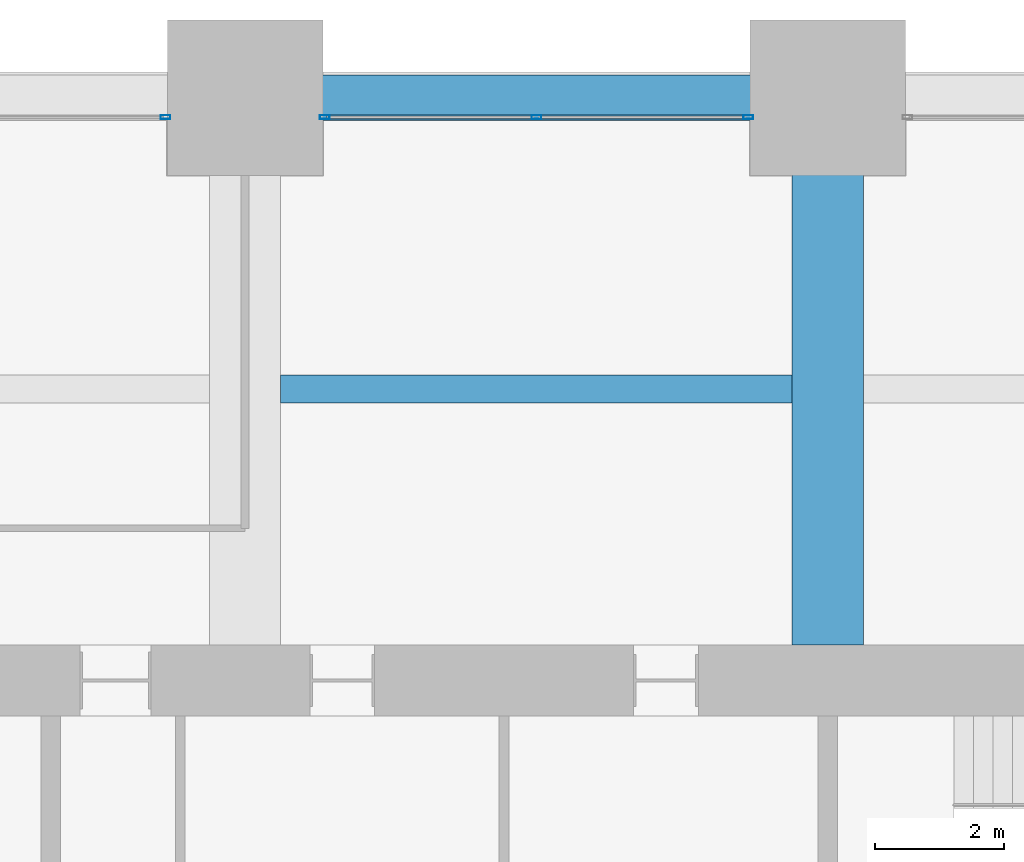
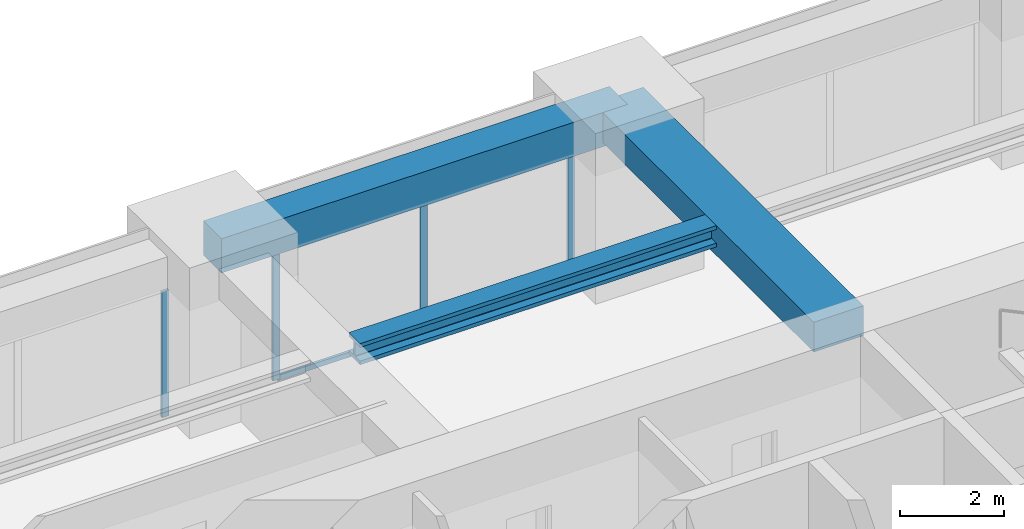
# One storey, part 29 of 40: 5 members, 3 beams, 2 elements without a shape of their own.
"""IFC4 building model written with IfcOpenShell, lengths in metres."""

from ifc_helpers import new_model, si_unit, direction, frame, origin, origin_2d, place, context, subcontext, project, spatial, rectangle, hollow_rectangle, i_section, extrude, material, material_profile, profile_set, type_object, element, aggregate, save


model = new_model("IFC4")

# Units and contexts
model_context = context("Model", 3, precision=1e-05, world=origin(), true_north=direction((0.0, 1.0)))
body_context = subcontext(model_context, "Body", "Model", "MODEL_VIEW")
ifc_project = project(units=[si_unit("LENGTHUNIT", "METRE"), si_unit("AREAUNIT", "SQUARE_METRE"), si_unit("VOLUMEUNIT", "CUBIC_METRE"), si_unit("PLANEANGLEUNIT", "RADIAN"), si_unit("MASSUNIT", "GRAM", prefix="KILO")], contexts=[model_context])

# Site, building, storey
site_placement = place(None, origin())
site = spatial("IfcSite", under=ifc_project, at=site_placement, CompositionType="ELEMENT")
building_placement = place(site_placement, origin())
building = spatial("IfcBuilding", under=site, at=building_placement, Name="Zorevar Civic Tower", CompositionType="ELEMENT")
storey_placement = place(building_placement, frame((0.0, 0.0, 133.0)))
storey = spatial("IfcBuildingStorey", under=building, at=storey_placement, Name="L32", CompositionType="ELEMENT", Elevation=133.0)

# Beam
ifc_material_1 = material(Name="Concrete C50/60", Category="concrete")
ifc_material_profile_1 = material_profile(ifc_material_1, rectangle(XDim=1.10009765625, YDim=0.699951171875, at=origin_2d()), Name="RC 1100x700")
ifc_profile_set_1 = profile_set([ifc_material_profile_1], Name="Concrete C50/60")
beam_type_1 = type_object("IfcBeamType", Name="Beam RC 1100x700", PredefinedType="BEAM", material=ifc_profile_set_1)
beam_1_placement = place(storey_placement, frame((36.0, 36.550048828125, 3.39990234375), z_axis=(0.0, 1.0, 0.0), x_axis=(-1.0, 0.0, 0.0)))
element("IfcBeam", 1, at=beam_1_placement, inside=storey, type_object=beam_type_1, Name="Girder L33", PredefinedType="BEAM", context=body_context, shape_type="SweptSolid", body=[
    extrude(rectangle(XDim=1.10009765625, YDim=0.699951171875, at=origin_2d()), origin(), (0.0, 0.0, 1.0), 8.449951171875),
])

# Curtain wall, member
ifc_material_2 = material(Name="Dark grey solar-control glass in black aluminium frame", Category="aluminium")
curtain_wall_type = type_object("IfcCurtainWallType", Name="Curtain wall CW3 mid zone", PredefinedType="NOTDEFINED", material=ifc_material_2)
curtain_wall_1_placement = place(storey_placement, origin())
curtain_wall_1 = element("IfcCurtainWall", 2, at=curtain_wall_1_placement, inside=storey, type_object=curtain_wall_type, Name="CW3 L32", PredefinedType="NOTDEFINED")
ifc_material_3 = material(Name="Aluminium, black anodised", Category="aluminium")
ifc_material_profile_2 = material_profile(ifc_material_3, hollow_rectangle(XDim=0.06005859375, YDim=0.14990234375, WallThickness=0.00390625, at=origin_2d()), Name="AL 150x60x4")
ifc_profile_set_2 = profile_set([ifc_material_profile_2], Name="Aluminium, black anodised")
member_type_1 = type_object("IfcMemberType", Name="CW3 mullion AL 150x60x4", PredefinedType="MULLION", material=ifc_profile_set_2)
member_1_placement = place(storey_placement, frame((25.77001953125, 44.699951171875, 0.0), z_axis=(0.0, 0.0, 1.0), x_axis=(0.0, 1.0, 0.0)))
member_1 = element("IfcMember", 3, at=member_1_placement, type_object=member_type_1, Name="CW3 mullion 3", PredefinedType="MULLION", context=body_context, shape_type="SweptSolid", body=[
    extrude(hollow_rectangle(XDim=0.06005859375, YDim=0.14990234375, WallThickness=0.00390625, at=origin_2d()), origin(), (0.0, 0.0, 1.0), 2.949951171875),
])
aggregate(curtain_wall_1, [member_1])

# Curtain wall, members
curtain_wall_2_placement = place(storey_placement, origin())
curtain_wall_2 = element("IfcCurtainWall", 4, at=curtain_wall_2_placement, inside=storey, type_object=curtain_wall_type, Name="CW3 L32", PredefinedType="NOTDEFINED")
member_2_placement = place(storey_placement, frame((28.22998046875, 44.699951171875, 0.0), z_axis=(0.0, 0.0, 1.0), x_axis=(0.0, 1.0, 0.0)))
member_2 = element("IfcMember", 5, at=member_2_placement, type_object=member_type_1, Name="CW3 mullion 1", PredefinedType="MULLION", context=body_context, shape_type="SweptSolid", body=[
    extrude(hollow_rectangle(XDim=0.06005859375, YDim=0.14990234375, WallThickness=0.00390625, at=origin_2d()), origin(), (0.0, 0.0, 1.0), 2.949951171875),
])
member_3_placement = place(storey_placement, frame((31.5, 44.699951171875, 0.06005859375), z_axis=(0.0, 0.0, 1.0), x_axis=(0.0, 1.0, 0.0)))
member_3 = element("IfcMember", 6, at=member_3_placement, type_object=member_type_1, Name="CW3 mullion 2", PredefinedType="MULLION", context=body_context, shape_type="SweptSolid", body=[
    extrude(hollow_rectangle(XDim=0.06005859375, YDim=0.14990234375, WallThickness=0.00390625, at=origin_2d()), origin(), (0.0, 0.0, 1.0), 2.889892578125),
])
member_4_placement = place(storey_placement, frame((34.77001953125, 44.699951171875, 0.0), z_axis=(0.0, 0.0, 1.0), x_axis=(0.0, 1.0, 0.0)))
member_4 = element("IfcMember", 7, at=member_4_placement, type_object=member_type_1, Name="CW3 mullion 3", PredefinedType="MULLION", context=body_context, shape_type="SweptSolid", body=[
    extrude(hollow_rectangle(XDim=0.06005859375, YDim=0.14990234375, WallThickness=0.00390625, at=origin_2d()), origin(), (0.0, 0.0, 1.0), 2.949951171875),
])
ifc_material_4 = material(Name="Aluminium, black anodised", Category="aluminium")
ifc_material_profile_3 = material_profile(ifc_material_4, hollow_rectangle(XDim=0.06005859375, YDim=0.1201171875, WallThickness=0.0029296875, at=origin_2d()), Name="AL 120x60x3")
ifc_profile_set_3 = profile_set([ifc_material_profile_3], Name="Aluminium, black anodised")
member_type_2 = type_object("IfcMemberType", Name="CW3 transom AL 120x60x3", PredefinedType="USERDEFINED", material=ifc_profile_set_3)
member_5_placement = place(storey_placement, frame((28.260009765625, 44.699951171875, 0.030029296875), z_axis=(1.0, 0.0, 0.0), x_axis=(0.0, 1.0, 0.0)))
member_5 = element("IfcMember", 8, at=member_5_placement, type_object=member_type_2, Name="CW3 sill transom", ObjectType="TRANSOM", PredefinedType="USERDEFINED", context=body_context, shape_type="SweptSolid", body=[
    extrude(hollow_rectangle(XDim=0.06005859375, YDim=0.1201171875, WallThickness=0.0029296875, at=origin_2d()), origin(), (0.0, 0.0, 1.0), 6.47998046875),
])
aggregate(curtain_wall_2, [member_2, member_3, member_4, member_5])

# Beams
ifc_material_5 = material(Name="Steel S460M (HISTAR 460)", Category="steel")
ifc_material_profile_4 = material_profile(ifc_material_5, i_section(OverallWidth=0.431884765625, OverallDepth=0.498046875, WebThickness=0.0556640625, FlangeThickness=0.0888671875, FilletRadius=0.014892578125, at=origin_2d()), Name="HD 400x744")
ifc_profile_set_4 = profile_set([ifc_material_profile_4], Name="Steel S460M (HISTAR 460)")
beam_type_2 = type_object("IfcBeamType", Name="Core bay beam HD 400x744", PredefinedType="BEAM", material=ifc_profile_set_4)
beam_2_placement = place(storey_placement, frame((27.550048828125, 40.5, 3.5009765625), z_axis=(1.0, 0.0, 0.0), x_axis=(0.0, 1.0, 0.0)))
element("IfcBeam", 9, at=beam_2_placement, inside=storey, type_object=beam_type_2, Name="Secondary beam L33", PredefinedType="BEAM", context=body_context, shape_type="SweptSolid", body=[
    extrude(i_section(OverallWidth=0.431884765625, OverallDepth=0.498046875, WebThickness=0.0556640625, FlangeThickness=0.0888671875, FilletRadius=0.014892578125, at=origin_2d()), origin(), (0.0, 0.0, 1.0), 7.89990234375),
])
ifc_material_6 = material(Name="Concrete C50/60", Category="concrete")
ifc_material_profile_5 = material_profile(ifc_material_6, rectangle(XDim=0.699951171875, YDim=0.800048828125, at=origin_2d()), Name="RC 700x800")
ifc_profile_set_5 = profile_set([ifc_material_profile_5], Name="Concrete C50/60")
beam_type_3 = type_object("IfcBeamType", Name="Edge beam RC 700x800", PredefinedType="SPANDREL", material=ifc_profile_set_5)
beam_3_placement = place(storey_placement, frame((27.0, 45.0, 3.35009765625), z_axis=(1.0, 0.0, 0.0), x_axis=(0.0, 1.0, 0.0)))
element("IfcBeam", 10, at=beam_3_placement, inside=storey, type_object=beam_type_3, Name="Edge beam L33", PredefinedType="SPANDREL", context=body_context, shape_type="SweptSolid", body=[
    extrude(rectangle(XDim=0.699951171875, YDim=0.800048828125, at=origin_2d()), origin(), (0.0, 0.0, 1.0), 9.0),
])

save(model, "model.ifc")
